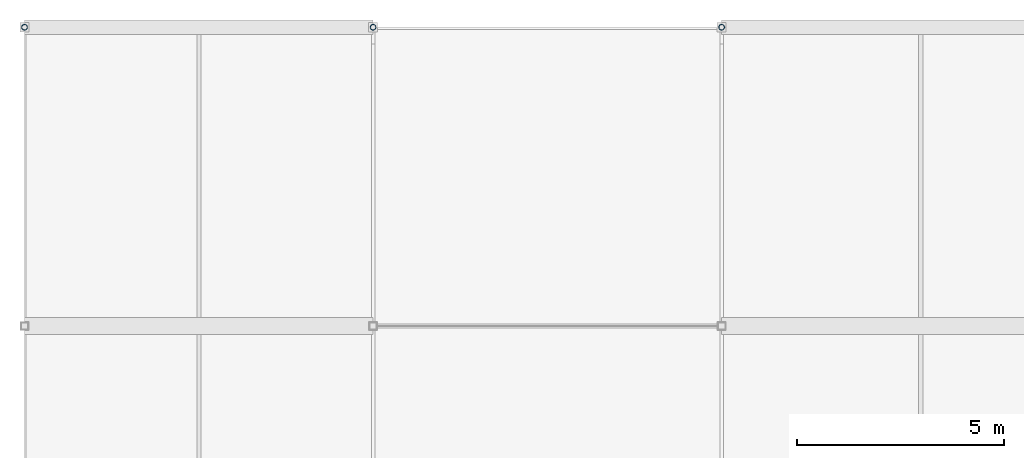
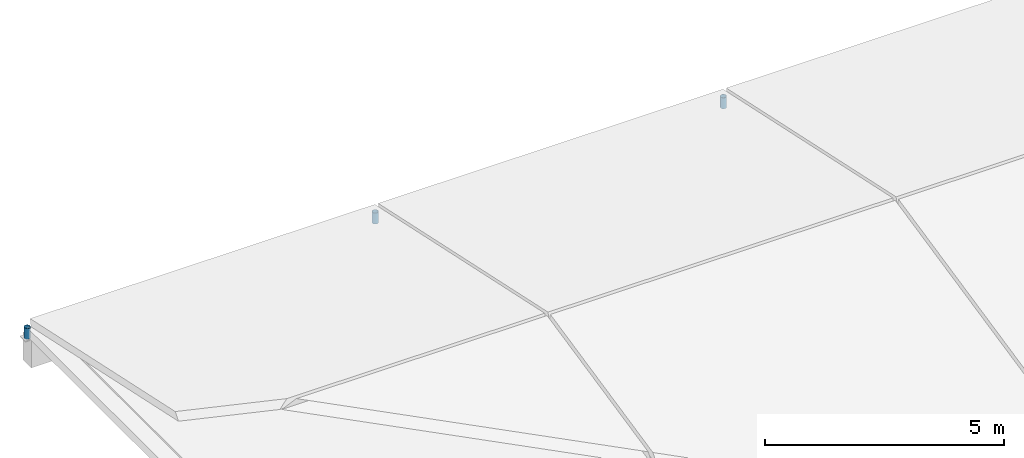
# One storey, part 8 of 11: 3 members.
"""IFC4 building model written with IfcOpenShell, lengths in metres."""

import ifcopenshell
import ifcopenshell.guid

model = None  # the IFC model being written
_history = None  # IfcOwnerHistory: only IFC2X3 demands one
_inside = {}  # id of a spatial element -> (the spatial element, [elements in it])
_under = {}  # id of a project, library or spatial element -> (it, [spatial elements below it])
_declared = {}  # id of a project -> (the project, [libraries it declares])
_typed = {}  # id of a type object -> (the type object, [elements of that type])
_made_of = {}  # id of a material, layer set ... -> (it, [elements and type objects made of it])


def new_model(schema):
    """Start an empty IFC model of exactly this schema.

    Asked for "IFC4X3", IfcOpenShell would pick the latest addendum, in which some entities
    have other attributes; the version numbers below select the first issue.
    IFC2X3 requires an IfcOwnerHistory on every rooted entity: one is made here for all.
    """
    global model, _history
    if schema == "IFC4X3":
        model = ifcopenshell.file(schema_version=(4, 3, 0, 0))
    else:
        model = ifcopenshell.file(schema=schema)
    _inside.clear()
    _under.clear()
    _declared.clear()
    _typed.clear()
    _made_of.clear()
    _history = None
    if model.schema == "IFC2X3":
        org = make("IfcOrganization", Name="unknown")
        user = make(
            "IfcPersonAndOrganization",
            ThePerson=make("IfcPerson", FamilyName="unknown"),
            TheOrganization=org,
        )
        app = make(
            "IfcApplication",
            ApplicationDeveloper=org,
            Version="unknown",
            ApplicationFullName="unknown",
            ApplicationIdentifier="unknown",
        )
        _history = make(
            "IfcOwnerHistory",
            OwningUser=user,
            OwningApplication=app,
            ChangeAction="ADDED",
            CreationDate=0,
        )
    return model


def make(cls, **values):
    """One entity of the class cls with the attributes given. An attribute that is None is left unset."""
    return model.create_entity(
        cls, **{name: value for name, value in values.items() if value is not None}
    )


def rooted(cls, **values):
    """An entity with a GlobalId (a new one), such as an element, a storey or a relation."""
    return make(cls, GlobalId=ifcopenshell.guid.new(), OwnerHistory=_history, **values)


def si_unit(unit_type, name, prefix=None):
    """IfcSIUnit, for example si_unit("LENGTHUNIT", "METRE", prefix="MILLI")."""
    return make("IfcSIUnit", UnitType=unit_type, Prefix=prefix, Name=name)


def assignment(units):
    """IfcUnitAssignment: the units of a project."""
    return None if units is None else make("IfcUnitAssignment", Units=units)


def point(xyz):
    """IfcCartesianPoint."""
    return None if xyz is None else make("IfcCartesianPoint", Coordinates=xyz)


def direction(xyz):
    """IfcDirection."""
    return None if xyz is None else make("IfcDirection", DirectionRatios=xyz)


def frame(location, z_axis=None, x_axis=None):
    """IfcAxis2Placement3D, a coordinate frame: its origin and axes. An axis left out is left unset."""
    return make(
        "IfcAxis2Placement3D",
        Location=point(location),
        Axis=direction(z_axis),
        RefDirection=direction(x_axis),
    )


def frame_2d(location, x_axis=None):
    """IfcAxis2Placement2D, a coordinate frame in the plane: its origin and x axis."""
    return make(
        "IfcAxis2Placement2D", Location=point(location), RefDirection=direction(x_axis)
    )


def origin():
    """The frame at (0, 0, 0) with its axes left unset."""
    return frame((0.0, 0.0, 0.0))


def origin_2d():
    """The frame at (0, 0) in the plane with its x axis left unset."""
    return frame_2d((0.0, 0.0))


def place(relative_to, where):
    """IfcLocalPlacement: puts the frame where relative to a parent placement (None: the world)."""
    return make(
        "IfcLocalPlacement", PlacementRelTo=relative_to, RelativePlacement=where
    )


def context(
    kind, dimensions, precision=None, world=None, true_north=None, identifier=None
):
    """IfcGeometricRepresentationContext, for example the 3D "Model" context."""
    return make(
        "IfcGeometricRepresentationContext",
        ContextIdentifier=identifier,
        ContextType=kind,
        CoordinateSpaceDimension=dimensions,
        Precision=precision,
        WorldCoordinateSystem=world,
        TrueNorth=true_north,
    )


def subcontext(parent, identifier, kind, view, scale=None):
    """IfcGeometricRepresentationSubContext, for example "Body" below "Model"."""
    return make(
        "IfcGeometricRepresentationSubContext",
        ContextIdentifier=identifier,
        ContextType=kind,
        ParentContext=parent,
        TargetScale=scale,
        TargetView=view,
    )


def project(units=None, contexts=None):
    """IfcProject with its units and contexts."""
    return rooted(
        "IfcProject",
        Name="project",
        RepresentationContexts=contexts,
        UnitsInContext=assignment(units),
    )


def spatial(cls, under=None, at=None, **own):
    """A site, building, storey or space (cls), placed at a placement, below another one or the project."""
    s = rooted(cls, ObjectPlacement=at, **own)
    if under is not None:
        _under.setdefault(under.id(), (under, []))[1].append(s)
    return s


def profile(cls, at=None, kind="AREA", **sizes):
    """A parametric profile (cls). Its sizes go by their IFC names, for example OverallWidth=200.0."""
    return make(cls, ProfileType=kind, Position=at, **sizes)


def hollow_circle(**sizes):
    """IfcCircleHollowProfileDef."""
    return profile("IfcCircleHollowProfileDef", **sizes)


def extrude(swept, where, along, depth):
    """IfcExtrudedAreaSolid: the profile swept, set in the frame where, extruded along a direction by depth."""
    return make(
        "IfcExtrudedAreaSolid",
        SweptArea=swept,
        Position=where,
        ExtrudedDirection=direction(along),
        Depth=depth,
    )


def shape(context_of_items, identifier, shape_type, items):
    """IfcShapeRepresentation: the items that make up one representation, for example the "Body"."""
    return make(
        "IfcShapeRepresentation",
        ContextOfItems=context_of_items,
        RepresentationIdentifier=identifier,
        RepresentationType=shape_type,
        Items=items,
    )


def material(Name=None, Category=None):
    """IfcMaterial."""
    return make("IfcMaterial", Name=Name, Category=Category)


def material_profile(
    of_material, cross_section, Name=None, Category=None, Priority=None
):
    """IfcMaterialProfile: a cross section and its material."""
    return make(
        "IfcMaterialProfile",
        Name=Name,
        Material=of_material,
        Profile=cross_section,
        Priority=Priority,
        Category=Category,
    )


def profile_set(profiles, Name=None, composite=None):
    """IfcMaterialProfileSet."""
    return make(
        "IfcMaterialProfileSet",
        Name=Name,
        MaterialProfiles=profiles,
        CompositeProfile=composite,
    )


def made_of(thing, what):
    """Note that an element or type object is made of a material, layer set ...; save() writes the relation."""
    if what is not None:
        _made_of.setdefault(what.id(), (what, []))[1].append(thing)
    return thing


def type_object(cls, material=None, **own):
    """A type object (cls), such as IfcWallType, which elements share."""
    return made_of(rooted(cls, **own), material)


def element(
    cls,
    number,
    at=None,
    inside=None,
    cuts=None,
    type_object=None,
    material=None,
    context=None,
    identifier="Body",
    shape_type=None,
    held_by="IfcProductDefinitionShape",
    body=None,
    shapes=None,
    **own,
):
    """One element of the class cls, such as IfcWall. Its Tag is "e" and its number.

    at: its placement. inside: the storey or other place that contains it. cuts: it is an
    opening in that element (IfcRelVoidsElement). A single representation is given by context,
    identifier, shape_type and body (its items); several are given by shapes. held_by: the class
    of the entity that holds the representations. save() writes the other relations.
    """
    e = rooted(cls, Tag="e%d" % number, ObjectPlacement=at, **own)
    if body is not None:
        shapes = [shape(context, identifier, shape_type, body)]
    if shapes is not None:
        e.Representation = make(held_by, Representations=shapes)
    if inside is not None:
        _inside.setdefault(inside.id(), (inside, []))[1].append(e)
    if cuts is not None:
        rooted(
            "IfcRelVoidsElement", RelatingBuildingElement=cuts, RelatedOpeningElement=e
        )
    if type_object is not None:
        _typed.setdefault(type_object.id(), (type_object, []))[1].append(e)
    return made_of(e, material)


def aggregate(whole, parts):
    """IfcRelAggregates: a whole, such as a stair, and the parts it consists of."""
    return rooted("IfcRelAggregates", RelatingObject=whole, RelatedObjects=parts)


def save(model, path):
    """Write the relations noted so far, then the file.

    IfcRelAggregates (storeys below a building ...), IfcRelContainedInSpatialStructure (elements
    in a storey), IfcRelDefinesByType, IfcRelAssociatesMaterial and IfcRelDeclares: one each for
    every whole, place, type object, material and project.
    """
    for whole, parts in _under.values():
        aggregate(whole, parts)
    for where, things in _inside.values():
        rooted(
            "IfcRelContainedInSpatialStructure",
            RelatedElements=things,
            RelatingStructure=where,
        )
    for kind, things in _typed.values():
        rooted("IfcRelDefinesByType", RelatedObjects=things, RelatingType=kind)
    for what, things in _made_of.values():
        rooted("IfcRelAssociatesMaterial", RelatedObjects=things, RelatingMaterial=what)
    for by, libraries in _declared.values():
        rooted("IfcRelDeclares", RelatingContext=by, RelatedDefinitions=libraries)
    model.write(path)


model = new_model("IFC4")

# Units and contexts
model_context = context("Model", 3, precision=1e-05, world=origin(), true_north=direction((0.0, 1.0)))
body_context = subcontext(model_context, "Body", "Model", "MODEL_VIEW")
ifc_project = project(units=[si_unit("LENGTHUNIT", "METRE"), si_unit("AREAUNIT", "SQUARE_METRE"), si_unit("VOLUMEUNIT", "CUBIC_METRE"), si_unit("PLANEANGLEUNIT", "RADIAN"), si_unit("MASSUNIT", "GRAM", prefix="KILO")], contexts=[model_context])

# Site, building, storey
site_placement = place(None, origin())
site = spatial("IfcSite", under=ifc_project, at=site_placement, CompositionType="ELEMENT")
building_placement = place(site_placement, origin())
building = spatial("IfcBuilding", under=site, at=building_placement, Name="Kisaragi Civic Commons", CompositionType="ELEMENT")
storey_placement = place(building_placement, frame((0.0, 0.0, 21.60009765625)))
storey = spatial("IfcBuildingStorey", under=building, at=storey_placement, Name="RF", CompositionType="ELEMENT", Elevation=21.60009765625)

# Members
ifc_material = material(Name="Steel SN490 (SN490B)", Category="steel")
ifc_material_profile = material_profile(ifc_material, hollow_circle(Radius=0.06982421875, WallThickness=0.006103515625, at=origin_2d()), Name="CHS-139.8x6.0", Category="steel")
ifc_profile_set = profile_set([ifc_material_profile], Name="Steel SN490 (SN490B)")
member_type = type_object("IfcMemberType", Name="ST-H1", PredefinedType="STRUT", material=ifc_profile_set)
for number, where, z_axis, x_axis, name in (
    (1, (97.199951171875, 118.800048828125, -0.25), (0.0, 0.0, 1.0), (1.0, 0.0, 0.0), "RF solar canopy post (97.2,118.8)"),
    (2, (105.60009765625, 118.800048828125, -0.25), (0.0, 0.0, 1.0), (1.0, 0.0, 0.0), "RF solar canopy post (105.6,118.8)"),
    (3, (114.0, 118.800048828125, -0.25), (0.0, 0.0, 1.0), (1.0, 0.0, 0.0), "RF solar canopy post (114.0,118.8)"),
):
    element("IfcMember", number, at=place(storey_placement, frame(where, z_axis=z_axis, x_axis=x_axis)), inside=storey, type_object=member_type, Name=name, PredefinedType="STRUT", context=body_context, shape_type="SweptSolid", body=[
        extrude(hollow_circle(Radius=0.06982421875, WallThickness=0.006103515625, at=origin_2d()), origin(), (0.0, 0.0, 1.0), 0.27978515625),
    ])

save(model, "model.ifc")
